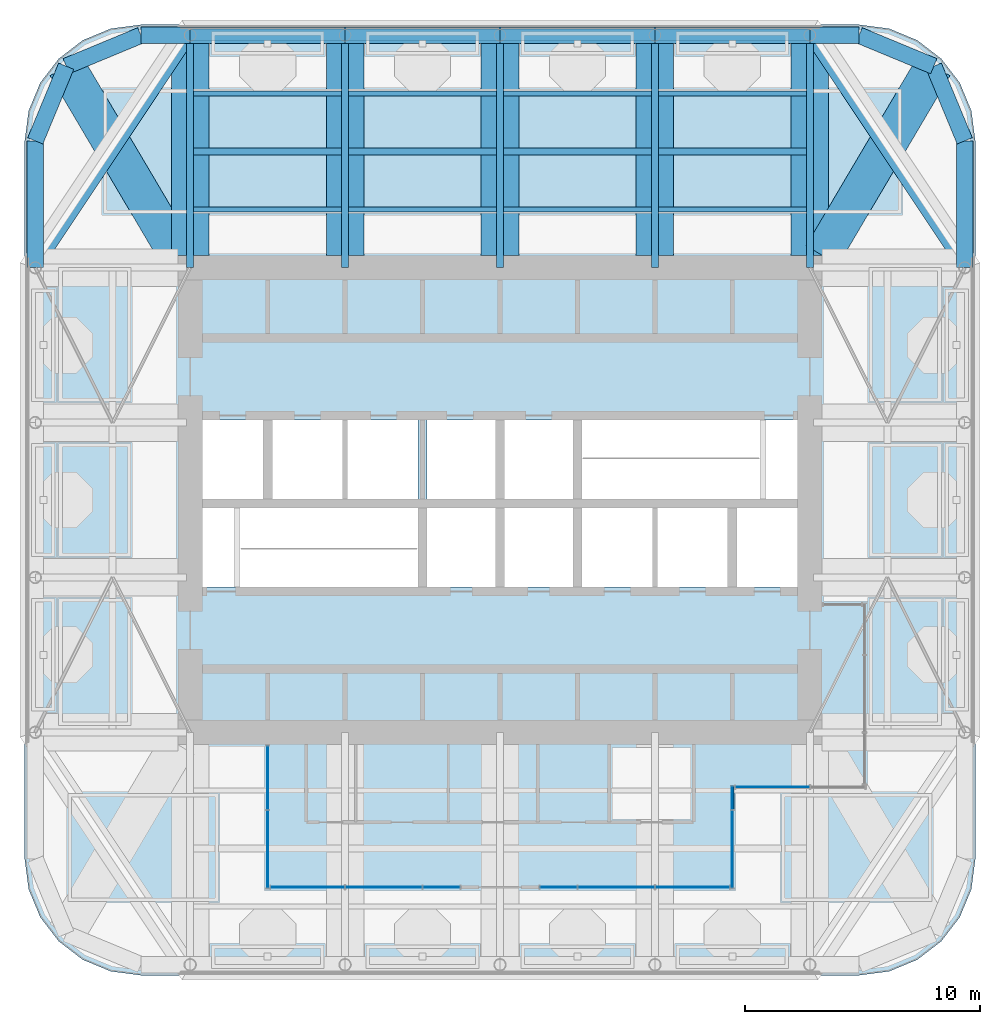
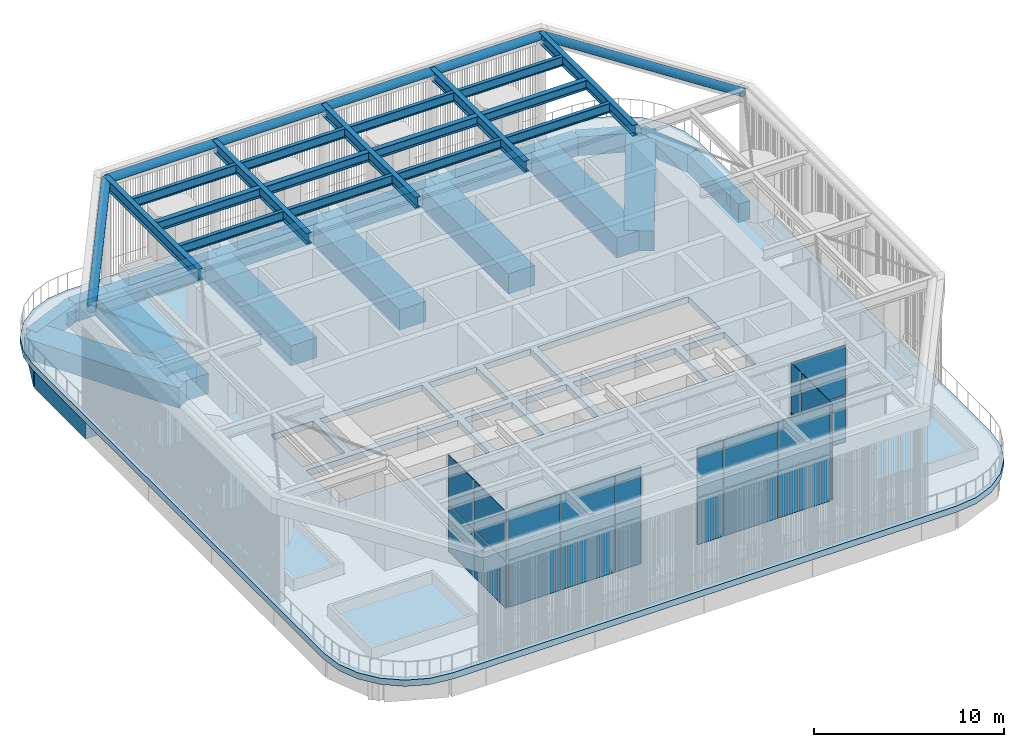
# One storey, part 5 of 22: 34 beams, 22 plates, 9 members, 1 slab, 5 elements without a shape of their own.
"""IFC4 building model written with IfcOpenShell, lengths in metres."""

from ifc_helpers import new_model, si_unit, direction, frame, origin, origin_2d, place, context, subcontext, project, spatial, polyline, rectangle, hollow_circle, i_section, outline, extrude, material, layer, layer_set, material_profile, profile_set, type_object, element, aggregate, save


model = new_model("IFC4")

# Units and contexts
model_context = context("Model", 3, precision=1e-05, world=origin(), true_north=direction((0.0, 1.0)))
body_context = subcontext(model_context, "Body", "Model", "MODEL_VIEW")
ifc_project = project(units=[si_unit("LENGTHUNIT", "METRE"), si_unit("AREAUNIT", "SQUARE_METRE"), si_unit("VOLUMEUNIT", "CUBIC_METRE"), si_unit("PLANEANGLEUNIT", "RADIAN"), si_unit("MASSUNIT", "GRAM", prefix="KILO")], contexts=[model_context])

# Site, building, storey
site_placement = place(None, origin())
site = spatial("IfcSite", under=ifc_project, at=site_placement, CompositionType="ELEMENT")
building_placement = place(site_placement, origin())
building = spatial("IfcBuilding", under=site, at=building_placement, Name="Cobogo Forest Laboratory Tower", CompositionType="ELEMENT")
storey_placement = place(building_placement, frame((0.0, 0.0, 292.800048828125)))
storey = spatial("IfcBuildingStorey", under=building, at=storey_placement, Name="RF", CompositionType="ELEMENT", Elevation=292.800048828125)

# Beams
ifc_material_1 = material(Name="Steel S355", Category="steel")
ifc_material_profile_1 = material_profile(ifc_material_1, i_section(OverallWidth=0.300048828125, OverallDepth=0.699951171875, WebThickness=0.01708984375, FlangeThickness=0.031982421875, FilletRadius=0.027099609375, at=origin_2d()), Name="HEB 700")
ifc_profile_set_1 = profile_set([ifc_material_profile_1], Name="Steel S355")
beam_type_1 = type_object("IfcBeamType", Name="Crown frame girder HEB 700", PredefinedType="BEAM", material=ifc_profile_set_1)
for number, where, z_axis, x_axis, name in (
    (1, (13.199951171875, 33.0, 6.550048828125), (0.0, 1.0, 0.0), (-1.0, 0.0, 0.0), "SG1 3-3"),
    (2, (19.800048828125, 33.0, 6.550048828125), (0.0, 1.0, 0.0), (-1.0, 0.0, 0.0), "SG1 4-3"),
    (3, (26.39990234375, 33.0, 6.550048828125), (0.0, 1.0, 0.0), (-1.0, 0.0, 0.0), "SG1 5-3"),
    (4, (33.0, 33.0, 6.550048828125), (0.0, 1.0, 0.0), (-1.0, 0.0, 0.0), "SG1 6-3"),
    (5, (39.60009765625, 33.0, 6.550048828125), (0.0, 1.0, 0.0), (-1.0, 0.0, 0.0), "SG1 7-3"),
):
    element("IfcBeam", number, at=place(storey_placement, frame(where, z_axis=z_axis, x_axis=x_axis)), inside=storey, type_object=beam_type_1, Name=name, PredefinedType="BEAM", context=body_context, shape_type="SweptSolid", body=[
        extrude(i_section(OverallWidth=0.300048828125, OverallDepth=0.699951171875, WebThickness=0.01708984375, FlangeThickness=0.031982421875, FilletRadius=0.027099609375, at=origin_2d()), origin(), (0.0, 0.0, 1.0), 9.89990234375),
    ])

# Members
ifc_material_profile_2 = material_profile(ifc_material_1, i_section(OverallWidth=0.219970703125, OverallDepth=0.60009765625, WebThickness=0.011962890625, FlangeThickness=0.01904296875, FilletRadius=0.02392578125, at=origin_2d()), Name="IPE 600")
ifc_profile_set_2 = profile_set([ifc_material_profile_2], Name="Steel S355")
member_type_1 = type_object("IfcMemberType", Name="Crown frame intermediate purlin IPE 600", PredefinedType="PURLIN", material=ifc_profile_set_2)
member_1_placement = place(storey_placement, frame((13.35009765625, 35.47509765625, 6.599853515625), z_axis=(1.0, 0.0, 0.0), x_axis=(0.0, 1.0, 0.0)))
element("IfcMember", 6, at=member_1_placement, inside=storey, type_object=member_type_1, Name="SP2 canopy purlin N1-1", PredefinedType="PURLIN", context=body_context, shape_type="SweptSolid", body=[
    extrude(i_section(OverallWidth=0.219970703125, OverallDepth=0.60009765625, WebThickness=0.011962890625, FlangeThickness=0.01904296875, FilletRadius=0.02392578125, at=origin_2d()), origin(), (0.0, 0.0, 1.0), 6.2998046875),
])
for number, where, z_axis, x_axis, name in (
    (7, (19.949951171875, 35.47509765625, 6.599853515625), (1.0, 0.0, 0.0), (0.0, 1.0, 0.0), "SP2 canopy purlin N1-2"),
    (8, (26.550048828125, 35.47509765625, 6.599853515625), (1.0, 0.0, 0.0), (0.0, 1.0, 0.0), "SP2 canopy purlin N1-3"),
    (9, (33.14990234375, 35.47509765625, 6.599853515625), (1.0, 0.0, 0.0), (0.0, 1.0, 0.0), "SP2 canopy purlin N1-4"),
):
    element("IfcMember", number, at=place(storey_placement, frame(where, z_axis=z_axis, x_axis=x_axis)), inside=storey, type_object=member_type_1, Name=name, PredefinedType="PURLIN", context=body_context, shape_type="SweptSolid", body=[
        extrude(i_section(OverallWidth=0.219970703125, OverallDepth=0.60009765625, WebThickness=0.011962890625, FlangeThickness=0.01904296875, FilletRadius=0.02392578125, at=origin_2d()), origin(), (0.0, 0.0, 1.0), 6.300048828125),
    ])
member_2_placement = place(storey_placement, frame((13.35009765625, 40.425048828125, 6.599853515625), z_axis=(1.0, 0.0, 0.0), x_axis=(0.0, 1.0, 0.0)))
element("IfcMember", 10, at=member_2_placement, inside=storey, type_object=member_type_1, Name="SP2 canopy purlin N3-1", PredefinedType="PURLIN", context=body_context, shape_type="SweptSolid", body=[
    extrude(i_section(OverallWidth=0.219970703125, OverallDepth=0.60009765625, WebThickness=0.011962890625, FlangeThickness=0.01904296875, FilletRadius=0.02392578125, at=origin_2d()), origin(), (0.0, 0.0, 1.0), 6.2998046875),
])
for number, where, z_axis, x_axis, name in (
    (11, (19.949951171875, 40.425048828125, 6.599853515625), (1.0, 0.0, 0.0), (0.0, 1.0, 0.0), "SP2 canopy purlin N3-2"),
    (12, (26.550048828125, 40.425048828125, 6.599853515625), (1.0, 0.0, 0.0), (0.0, 1.0, 0.0), "SP2 canopy purlin N3-3"),
    (13, (33.14990234375, 40.425048828125, 6.599853515625), (1.0, 0.0, 0.0), (0.0, 1.0, 0.0), "SP2 canopy purlin N3-4"),
):
    element("IfcMember", number, at=place(storey_placement, frame(where, z_axis=z_axis, x_axis=x_axis)), inside=storey, type_object=member_type_1, Name=name, PredefinedType="PURLIN", context=body_context, shape_type="SweptSolid", body=[
        extrude(i_section(OverallWidth=0.219970703125, OverallDepth=0.60009765625, WebThickness=0.011962890625, FlangeThickness=0.01904296875, FilletRadius=0.02392578125, at=origin_2d()), origin(), (0.0, 0.0, 1.0), 6.300048828125),
    ])

# Beams
ifc_material_profile_3 = material_profile(ifc_material_1, i_section(OverallWidth=0.300048828125, OverallDepth=0.60009765625, WebThickness=0.015380859375, FlangeThickness=0.030029296875, FilletRadius=0.027099609375, at=origin_2d()), Name="HEB 600")
ifc_profile_set_3 = profile_set([ifc_material_profile_3], Name="Steel S355")
beam_type_2 = type_object("IfcBeamType", Name="Crown frame purlin HEB 600", PredefinedType="BEAM", material=ifc_profile_set_3)
beam_1_placement = place(storey_placement, frame((13.35009765625, 37.949951171875, 6.599853515625), z_axis=(1.0, 0.0, 0.0), x_axis=(0.0, 1.0, 0.0)))
element("IfcBeam", 14, at=beam_1_placement, inside=storey, type_object=beam_type_2, Name="SP1 N1", PredefinedType="BEAM", context=body_context, shape_type="SweptSolid", body=[
    extrude(i_section(OverallWidth=0.300048828125, OverallDepth=0.60009765625, WebThickness=0.015380859375, FlangeThickness=0.030029296875, FilletRadius=0.027099609375, at=origin_2d()), origin(), (0.0, 0.0, 1.0), 6.2998046875),
])
for number, where, z_axis, x_axis, name in (
    (15, (19.949951171875, 37.949951171875, 6.599853515625), (1.0, 0.0, 0.0), (0.0, 1.0, 0.0), "SP1 N2"),
    (16, (26.550048828125, 37.949951171875, 6.599853515625), (1.0, 0.0, 0.0), (0.0, 1.0, 0.0), "SP1 N3"),
    (17, (33.14990234375, 37.949951171875, 6.599853515625), (1.0, 0.0, 0.0), (0.0, 1.0, 0.0), "SP1 N4"),
):
    element("IfcBeam", number, at=place(storey_placement, frame(where, z_axis=z_axis, x_axis=x_axis)), inside=storey, type_object=beam_type_2, Name=name, PredefinedType="BEAM", context=body_context, shape_type="SweptSolid", body=[
        extrude(i_section(OverallWidth=0.300048828125, OverallDepth=0.60009765625, WebThickness=0.015380859375, FlangeThickness=0.030029296875, FilletRadius=0.027099609375, at=origin_2d()), origin(), (0.0, 0.0, 1.0), 6.300048828125),
    ])
ifc_material_profile_4 = material_profile(ifc_material_1, hollow_circle(Radius=0.25390625, WallThickness=0.01611328125, at=origin_2d()), Name="CHS 508x16")
ifc_profile_set_4 = profile_set([ifc_material_profile_4], Name="Steel S355")
beam_type_3 = type_object("IfcBeamType", Name="Crown frame ring CHS 508x16", PredefinedType="BEAM", material=ifc_profile_set_4)
beam_2_placement = place(storey_placement, frame((13.199951171875, 42.89990234375, 6.64599609375), z_axis=(1.0, 0.0, 0.0), x_axis=(0.0, 1.0, 0.0)))
element("IfcBeam", 18, at=beam_2_placement, inside=storey, type_object=beam_type_3, Name="SE1 N1", PredefinedType="BEAM", context=body_context, shape_type="SweptSolid", body=[
    extrude(hollow_circle(Radius=0.25390625, WallThickness=0.01611328125, at=origin_2d()), origin(), (0.0, 0.0, 1.0), 6.60009765625),
])
beam_3_placement = place(storey_placement, frame((19.800048828125, 42.89990234375, 6.64599609375), z_axis=(1.0, 0.0, 0.0), x_axis=(0.0, 1.0, 0.0)))
element("IfcBeam", 19, at=beam_3_placement, inside=storey, type_object=beam_type_3, Name="SE1 N2", PredefinedType="BEAM", context=body_context, shape_type="SweptSolid", body=[
    extrude(hollow_circle(Radius=0.25390625, WallThickness=0.01611328125, at=origin_2d()), origin(), (0.0, 0.0, 1.0), 6.599853515625),
])
for number, where, z_axis, x_axis, name in (
    (20, (26.39990234375, 42.89990234375, 6.64599609375), (1.0, 0.0, 0.0), (0.0, 1.0, 0.0), "SE1 N3"),
    (21, (33.0, 42.89990234375, 6.64599609375), (1.0, 0.0, 0.0), (0.0, 1.0, 0.0), "SE1 N4"),
):
    element("IfcBeam", number, at=place(storey_placement, frame(where, z_axis=z_axis, x_axis=x_axis)), inside=storey, type_object=beam_type_3, Name=name, PredefinedType="BEAM", context=body_context, shape_type="SweptSolid", body=[
        extrude(hollow_circle(Radius=0.25390625, WallThickness=0.01611328125, at=origin_2d()), origin(), (0.0, 0.0, 1.0), 6.60009765625),
    ])
for number, where, z_axis, x_axis, name in (
    (22, (39.60009765625, 42.89990234375, 6.64599609375), (0.554695461017, -0.832053451124, 0.0), (0.832053451124, 0.554695461017, 0.0), "SE1 NE"),
    (23, (13.199951171875, 42.89990234375, 6.64599609375), (-0.554695461017, -0.832053451124, 0.0), (0.832053451124, -0.554695461017, 0.0), "SE1 NW"),
):
    element("IfcBeam", number, at=place(storey_placement, frame(where, z_axis=z_axis, x_axis=x_axis)), inside=storey, type_object=beam_type_3, Name=name, PredefinedType="BEAM", context=body_context, shape_type="SweptSolid", body=[
        extrude(hollow_circle(Radius=0.25390625, WallThickness=0.01611328125, at=origin_2d()), origin(), (0.0, 0.0, 1.0), 11.898193359375),
    ])
ifc_material_2 = material(Name="Concrete HA-40 (C40/50)", Category="concrete")
ifc_material_profile_5 = material_profile(ifc_material_2, rectangle(XDim=0.699951171875, YDim=1.199951171875, at=origin_2d()), Name="RC 700x1200")
ifc_profile_set_5 = profile_set([ifc_material_profile_5], Name="Concrete HA-40 (C40/50)")
beam_type_4 = type_object("IfcBeamType", Name="Perimeter edge beam 700x1200", PredefinedType="BEAM", material=ifc_profile_set_5)
beam_4_placement = place(storey_placement, frame((13.199951171875, 42.89990234375, -1.0), z_axis=(1.0, 0.0, 0.0), x_axis=(0.0, 1.0, 0.0)))
element("IfcBeam", 24, at=beam_4_placement, inside=storey, type_object=beam_type_4, Name="EB1 E-N1 RF", PredefinedType="BEAM", context=body_context, shape_type="SweptSolid", body=[
    extrude(rectangle(XDim=0.699951171875, YDim=1.199951171875, at=origin_2d()), origin(), (0.0, 0.0, 1.0), 6.60009765625),
])
beam_5_placement = place(storey_placement, frame((19.800048828125, 42.89990234375, -1.0), z_axis=(1.0, 0.0, 0.0), x_axis=(0.0, 1.0, 0.0)))
element("IfcBeam", 25, at=beam_5_placement, inside=storey, type_object=beam_type_4, Name="EB1 E-N2 RF", PredefinedType="BEAM", context=body_context, shape_type="SweptSolid", body=[
    extrude(rectangle(XDim=0.699951171875, YDim=1.199951171875, at=origin_2d()), origin(), (0.0, 0.0, 1.0), 6.599853515625),
])
for number, where, z_axis, x_axis, name in (
    (26, (26.39990234375, 42.89990234375, -1.0), (1.0, 0.0, 0.0), (0.0, 1.0, 0.0), "EB1 E-N3 RF"),
    (27, (33.0, 42.89990234375, -1.0), (1.0, 0.0, 0.0), (0.0, 1.0, 0.0), "EB1 E-N4 RF"),
):
    element("IfcBeam", number, at=place(storey_placement, frame(where, z_axis=z_axis, x_axis=x_axis)), inside=storey, type_object=beam_type_4, Name=name, PredefinedType="BEAM", context=body_context, shape_type="SweptSolid", body=[
        extrude(rectangle(XDim=0.699951171875, YDim=1.199951171875, at=origin_2d()), origin(), (0.0, 0.0, 1.0), 6.60009765625),
    ])
beam_6_placement = place(storey_placement, frame((46.199951171875, 33.0, -1.0), z_axis=(0.0, 1.0, 0.0), x_axis=(-1.0, 0.0, 0.0)))
element("IfcBeam", 28, at=beam_6_placement, inside=storey, type_object=beam_type_4, Name="EB1 E-NEE1 RF", PredefinedType="BEAM", context=body_context, shape_type="SweptSolid", body=[
    extrude(rectangle(XDim=0.699951171875, YDim=1.199951171875, at=origin_2d()), origin(), (0.0, 0.0, 1.0), 5.39990234375),
])
beam_7_placement = place(storey_placement, frame((46.199951171875, 38.39990234375, -1.0), z_axis=(-0.382631424892, 0.923901072997, 0.0), x_axis=(-0.923901072997, -0.382631424892, 0.0)))
element("IfcBeam", 29, at=beam_7_placement, inside=storey, type_object=beam_type_4, Name="EB1 E-NEE2 RF", PredefinedType="BEAM", context=body_context, shape_type="SweptSolid", body=[
    extrude(rectangle(XDim=0.699951171875, YDim=1.199951171875, at=origin_2d()), origin(), (0.0, 0.0, 1.0), 3.4443359375),
])
beam_8_placement = place(storey_placement, frame((39.60009765625, 42.89990234375, -1.0), z_axis=(1.0, 0.0, 0.0), x_axis=(0.0, 1.0, 0.0)))
element("IfcBeam", 30, at=beam_8_placement, inside=storey, type_object=beam_type_4, Name="EB1 E-NEN1 RF", PredefinedType="BEAM", context=body_context, shape_type="SweptSolid", body=[
    extrude(rectangle(XDim=0.699951171875, YDim=1.199951171875, at=origin_2d()), origin(), (0.0, 0.0, 1.0), 2.099853515625),
])
beam_9_placement = place(storey_placement, frame((41.699951171875, 42.89990234375, -1.0), z_axis=(0.923901072997, -0.382631424892, 0.0), x_axis=(0.382631424892, 0.923901072997, 0.0)))
element("IfcBeam", 31, at=beam_9_placement, inside=storey, type_object=beam_type_4, Name="EB1 E-NEN2 RF", PredefinedType="BEAM", context=body_context, shape_type="SweptSolid", body=[
    extrude(rectangle(XDim=0.699951171875, YDim=1.199951171875, at=origin_2d()), origin(), (0.0, 0.0, 1.0), 3.4443359375),
])
beam_10_placement = place(storey_placement, frame((13.199951171875, 42.89990234375, -1.0), z_axis=(-1.0, 0.0, 0.0), x_axis=(0.0, -1.0, 0.0)))
element("IfcBeam", 32, at=beam_10_placement, inside=storey, type_object=beam_type_4, Name="EB1 E-NWN1 RF", PredefinedType="BEAM", context=body_context, shape_type="SweptSolid", body=[
    extrude(rectangle(XDim=0.699951171875, YDim=1.199951171875, at=origin_2d()), origin(), (0.0, 0.0, 1.0), 2.099853515625),
])
beam_11_placement = place(storey_placement, frame((11.10009765625, 42.89990234375, -1.0), z_axis=(-0.923901072997, -0.382631424892, 0.0), x_axis=(0.382631424892, -0.923901072997, 0.0)))
element("IfcBeam", 33, at=beam_11_placement, inside=storey, type_object=beam_type_4, Name="EB1 E-NWN2 RF", PredefinedType="BEAM", context=body_context, shape_type="SweptSolid", body=[
    extrude(rectangle(XDim=0.699951171875, YDim=1.199951171875, at=origin_2d()), origin(), (0.0, 0.0, 1.0), 3.4443359375),
])
beam_12_placement = place(storey_placement, frame((6.60009765625, 33.0, -1.0), z_axis=(0.0, 1.0, 0.0), x_axis=(-1.0, 0.0, 0.0)))
element("IfcBeam", 34, at=beam_12_placement, inside=storey, type_object=beam_type_4, Name="EB1 E-NWW1 RF", PredefinedType="BEAM", context=body_context, shape_type="SweptSolid", body=[
    extrude(rectangle(XDim=0.699951171875, YDim=1.199951171875, at=origin_2d()), origin(), (0.0, 0.0, 1.0), 5.39990234375),
])
beam_13_placement = place(storey_placement, frame((6.60009765625, 38.39990234375, -1.0), z_axis=(0.382631424892, 0.923901072997, 0.0), x_axis=(-0.923901072997, 0.382631424892, 0.0)))
element("IfcBeam", 35, at=beam_13_placement, inside=storey, type_object=beam_type_4, Name="EB1 E-NWW2 RF", PredefinedType="BEAM", context=body_context, shape_type="SweptSolid", body=[
    extrude(rectangle(XDim=0.699951171875, YDim=1.199951171875, at=origin_2d()), origin(), (0.0, 0.0, 1.0), 3.4443359375),
])
ifc_material_profile_6 = material_profile(ifc_material_2, rectangle(XDim=1.60009765625, YDim=1.300048828125, at=origin_2d()), Name="RC 1600x1300")
ifc_profile_set_6 = profile_set([ifc_material_profile_6], Name="Concrete HA-40 (C40/50)")
beam_type_5 = type_object("IfcBeamType", Name="Plant and roof garden wide beam 1600x1300", PredefinedType="BEAM", material=ifc_profile_set_6)
for number, where, z_axis, x_axis, name in (
    (36, (13.199951171875, 33.52490234375, -1.050048828125), (0.0, 1.0, 0.0), (-1.0, 0.0, 0.0), "RB4 R-3-N RF"),
    (37, (19.800048828125, 33.52490234375, -1.050048828125), (0.0, 1.0, 0.0), (-1.0, 0.0, 0.0), "RB4 R-4-N RF"),
    (38, (26.39990234375, 33.52490234375, -1.050048828125), (0.0, 1.0, 0.0), (-1.0, 0.0, 0.0), "RB4 R-5-N RF"),
    (39, (33.0, 33.52490234375, -1.050048828125), (0.0, 1.0, 0.0), (-1.0, 0.0, 0.0), "RB4 R-6-N RF"),
    (40, (39.60009765625, 33.52490234375, -1.050048828125), (0.0, 1.0, 0.0), (-1.0, 0.0, 0.0), "RB4 R-7-N RF"),
):
    element("IfcBeam", number, at=place(storey_placement, frame(where, z_axis=z_axis, x_axis=x_axis)), inside=storey, type_object=beam_type_5, Name=name, PredefinedType="BEAM", context=body_context, shape_type="SweptSolid", body=[
        extrude(rectangle(XDim=1.60009765625, YDim=1.300048828125, at=origin_2d()), origin(), (0.0, 0.0, 1.0), 9.375),
    ])
for number, where, z_axis, x_axis, name in (
    (41, (44.882080078125, 41.58203125, -1.050048828125), (-0.508416325908, -0.861111397875, 0.0), (0.861111397875, -0.508416325908, 0.0), "RB4 G-NE-D1 RF"),
    (42, (7.91796875, 41.58203125, -1.050048828125), (0.508416325908, -0.861111397875, 0.0), (0.861111397875, 0.508416325908, 0.0), "RB4 G-NW-D1 RF"),
):
    element("IfcBeam", number, at=place(storey_placement, frame(where, z_axis=z_axis, x_axis=x_axis)), inside=storey, type_object=beam_type_5, Name=name, PredefinedType="BEAM", context=body_context, shape_type="SweptSolid", body=[
        extrude(rectangle(XDim=1.60009765625, YDim=1.300048828125, at=origin_2d()), origin(), (0.0, 0.0, 1.0), 9.356689453125),
    ])

# Curtain wall, member
ifc_material_3 = material(Name="Aluminium curtain wall", Category="aluminium")
curtain_wall_type = type_object("IfcCurtainWallType", Name="CW-C stick curtain wall, crown glazing, conference floor and roof pavilion", PredefinedType="USERDEFINED", material=ifc_material_3)
curtain_wall_1_placement = place(storey_placement, origin())
curtain_wall_1 = element("IfcCurtainWall", 43, at=curtain_wall_1_placement, inside=storey, type_object=curtain_wall_type, Name="Curtain wall 04 RF", ObjectType="STICK CURTAIN WALL", PredefinedType="USERDEFINED")
ifc_material_4 = material(Name="Aluminium transom", Category="aluminium")
ifc_material_profile_7 = material_profile(ifc_material_4, rectangle(XDim=0.1201171875, YDim=0.06005859375, at=origin_2d()), Name="AL 60x120")
ifc_profile_set_7 = profile_set([ifc_material_profile_7], Name="Aluminium transom")
member_type_2 = type_object("IfcMemberType", Name="TR-1 aluminium transom 60x120", PredefinedType="USERDEFINED", material=ifc_profile_set_7)
member_3_placement = place(storey_placement, frame((36.300048828125, 9.929931640625, 3.0), z_axis=(0.0, 1.0, 0.0), x_axis=(-1.0, 0.0, 0.0)))
member_3 = element("IfcMember", 44, at=member_3_placement, type_object=member_type_2, Name="CW-C transom 2.1", ObjectType="TRANSOM", PredefinedType="USERDEFINED", context=body_context, shape_type="SweptSolid", body=[
    extrude(rectangle(XDim=0.1201171875, YDim=0.06005859375, at=origin_2d()), origin(), (0.0, 0.0, 1.0), 0.965087890625),
])

# Curtain wall, plates
curtain_wall_2_placement = place(storey_placement, origin())
curtain_wall_2 = element("IfcCurtainWall", 45, at=curtain_wall_2_placement, inside=storey, type_object=curtain_wall_type, Name="Curtain wall 01 RF", ObjectType="STICK CURTAIN WALL", PredefinedType="USERDEFINED")
ifc_material_5 = material(Name="Solar control insulated glass", Category="glass")
ifc_layer_1 = layer(ifc_material_5, 0.031982421875)
ifc_layer_set_1 = layer_set([ifc_layer_1], Name="GP-2 solar control glass unit 32")
plate_type = type_object("IfcPlateType", Name="GP-2 solar control glass unit 32", PredefinedType="CURTAIN_PANEL", material=ifc_layer_set_1)
plate_1_placement = place(storey_placement, frame((16.5, 11.2724609375, 0.0), z_axis=(0.0, 0.0, 1.0), x_axis=(0.0, -1.0, 0.0)))
plate_1 = element("IfcPlate", 46, at=plate_1_placement, type_object=plate_type, Name="CW-C panel 1.1", PredefinedType="CURTAIN_PANEL", context=body_context, shape_type="SweptSolid", body=[
    extrude(rectangle(XDim=2.68505859375, YDim=0.031982421875, at=origin_2d()), origin(), (0.0, 0.0, 1.0), 2.969970703125),
])
plate_2_placement = place(storey_placement, frame((16.5, 11.2724609375, 3.030029296875), z_axis=(0.0, 0.0, 1.0), x_axis=(0.0, -1.0, 0.0)))
plate_2 = element("IfcPlate", 47, at=plate_2_placement, type_object=plate_type, Name="CW-C panel 1.2", PredefinedType="CURTAIN_PANEL", context=body_context, shape_type="SweptSolid", body=[
    extrude(rectangle(XDim=2.68505859375, YDim=0.031982421875, at=origin_2d()), origin(), (0.0, 0.0, 1.0), 3.169921875),
])
plate_3_placement = place(storey_placement, frame((16.5, 8.22509765625, 0.0), z_axis=(0.0, 0.0, 1.0), x_axis=(0.0, -1.0, 0.0)))
plate_3 = element("IfcPlate", 48, at=plate_3_placement, type_object=plate_type, Name="CW-C panel 2.1", PredefinedType="CURTAIN_PANEL", context=body_context, shape_type="SweptSolid", body=[
    extrude(rectangle(XDim=3.2900390625, YDim=0.031982421875, at=origin_2d()), origin(), (0.0, 0.0, 1.0), 2.969970703125),
])
plate_4_placement = place(storey_placement, frame((16.5, 8.22509765625, 3.030029296875), z_axis=(0.0, 0.0, 1.0), x_axis=(0.0, -1.0, 0.0)))
plate_4 = element("IfcPlate", 49, at=plate_4_placement, type_object=plate_type, Name="CW-C panel 2.2", PredefinedType="CURTAIN_PANEL", context=body_context, shape_type="SweptSolid", body=[
    extrude(rectangle(XDim=3.2900390625, YDim=0.031982421875, at=origin_2d()), origin(), (0.0, 0.0, 1.0), 3.169921875),
])
aggregate(curtain_wall_2, [plate_1, plate_2, plate_3, plate_4])

curtain_wall_3_placement = place(storey_placement, origin())
curtain_wall_3 = element("IfcCurtainWall", 50, at=curtain_wall_3_placement, inside=storey, type_object=curtain_wall_type, Name="Curtain wall 02 RF", ObjectType="STICK CURTAIN WALL", PredefinedType="USERDEFINED")
plate_5_placement = place(storey_placement, frame((18.205078125, 6.60009765625, 0.0), z_axis=(0.0, 0.0, 1.0), x_axis=(1.0, 0.0, 0.0)))
plate_5 = element("IfcPlate", 51, at=plate_5_placement, type_object=plate_type, Name="CW-C panel 1.1", PredefinedType="CURTAIN_PANEL", context=body_context, shape_type="SweptSolid", body=[
    extrude(rectangle(XDim=3.1298828125, YDim=0.031982421875, at=origin_2d()), origin(), (0.0, 0.0, 1.0), 2.969970703125),
])
plate_6_placement = place(storey_placement, frame((18.205078125, 6.60009765625, 3.030029296875), z_axis=(0.0, 0.0, 1.0), x_axis=(1.0, 0.0, 0.0)))
plate_6 = element("IfcPlate", 52, at=plate_6_placement, type_object=plate_type, Name="CW-C panel 1.2", PredefinedType="CURTAIN_PANEL", context=body_context, shape_type="SweptSolid", body=[
    extrude(rectangle(XDim=3.1298828125, YDim=0.031982421875, at=origin_2d()), origin(), (0.0, 0.0, 1.0), 3.169921875),
])
plate_7_placement = place(storey_placement, frame((21.449951171875, 6.60009765625, 0.0), z_axis=(0.0, 0.0, 1.0), x_axis=(1.0, 0.0, 0.0)))
plate_7 = element("IfcPlate", 53, at=plate_7_placement, type_object=plate_type, Name="CW-C panel 2.1", PredefinedType="CURTAIN_PANEL", context=body_context, shape_type="SweptSolid", body=[
    extrude(rectangle(XDim=3.239990234375, YDim=0.031982421875, at=origin_2d()), origin(), (0.0, 0.0, 1.0), 2.969970703125),
])
plate_8_placement = place(storey_placement, frame((21.449951171875, 6.60009765625, 3.030029296875), z_axis=(0.0, 0.0, 1.0), x_axis=(1.0, 0.0, 0.0)))
plate_8 = element("IfcPlate", 54, at=plate_8_placement, type_object=plate_type, Name="CW-C panel 2.2", PredefinedType="CURTAIN_PANEL", context=body_context, shape_type="SweptSolid", body=[
    extrude(rectangle(XDim=3.239990234375, YDim=0.031982421875, at=origin_2d()), origin(), (0.0, 0.0, 1.0), 3.169921875),
])
plate_9_placement = place(storey_placement, frame((23.909912109375, 6.60009765625, 0.0), z_axis=(0.0, 0.0, 1.0), x_axis=(1.0, 0.0, 0.0)))
plate_9 = element("IfcPlate", 55, at=plate_9_placement, type_object=plate_type, Name="CW-C panel 3.1", PredefinedType="CURTAIN_PANEL", context=body_context, shape_type="SweptSolid", body=[
    extrude(rectangle(XDim=1.56005859375, YDim=0.031982421875, at=origin_2d()), origin(), (0.0, 0.0, 1.0), 2.969970703125),
])
plate_10_placement = place(storey_placement, frame((23.909912109375, 6.60009765625, 3.030029296875), z_axis=(0.0, 0.0, 1.0), x_axis=(1.0, 0.0, 0.0)))
plate_10 = element("IfcPlate", 56, at=plate_10_placement, type_object=plate_type, Name="CW-C panel 3.2", PredefinedType="CURTAIN_PANEL", context=body_context, shape_type="SweptSolid", body=[
    extrude(rectangle(XDim=1.56005859375, YDim=0.031982421875, at=origin_2d()), origin(), (0.0, 0.0, 1.0), 3.169921875),
])
aggregate(curtain_wall_3, [plate_5, plate_6, plate_7, plate_8, plate_9, plate_10])

curtain_wall_4_placement = place(storey_placement, origin())
curtain_wall_4 = element("IfcCurtainWall", 57, at=curtain_wall_4_placement, inside=storey, type_object=curtain_wall_type, Name="Curtain wall 03 RF", ObjectType="STICK CURTAIN WALL", PredefinedType="USERDEFINED")
plate_11_placement = place(storey_placement, frame((28.889892578125, 6.60009765625, 0.0), z_axis=(0.0, 0.0, 1.0), x_axis=(1.0, 0.0, 0.0)))
plate_11 = element("IfcPlate", 58, at=plate_11_placement, type_object=plate_type, Name="CW-C panel 1.1", PredefinedType="CURTAIN_PANEL", context=body_context, shape_type="SweptSolid", body=[
    extrude(rectangle(XDim=1.56005859375, YDim=0.031982421875, at=origin_2d()), origin(), (0.0, 0.0, 1.0), 2.969970703125),
])
plate_12_placement = place(storey_placement, frame((28.889892578125, 6.60009765625, 3.030029296875), z_axis=(0.0, 0.0, 1.0), x_axis=(1.0, 0.0, 0.0)))
plate_12 = element("IfcPlate", 59, at=plate_12_placement, type_object=plate_type, Name="CW-C panel 1.2", PredefinedType="CURTAIN_PANEL", context=body_context, shape_type="SweptSolid", body=[
    extrude(rectangle(XDim=1.56005859375, YDim=0.031982421875, at=origin_2d()), origin(), (0.0, 0.0, 1.0), 3.169921875),
])
plate_13_placement = place(storey_placement, frame((31.35009765625, 6.60009765625, 0.0), z_axis=(0.0, 0.0, 1.0), x_axis=(1.0, 0.0, 0.0)))
plate_13 = element("IfcPlate", 60, at=plate_13_placement, type_object=plate_type, Name="CW-C panel 2.1", PredefinedType="CURTAIN_PANEL", context=body_context, shape_type="SweptSolid", body=[
    extrude(rectangle(XDim=3.239990234375, YDim=0.031982421875, at=origin_2d()), origin(), (0.0, 0.0, 1.0), 2.969970703125),
])
plate_14_placement = place(storey_placement, frame((31.35009765625, 6.60009765625, 3.030029296875), z_axis=(0.0, 0.0, 1.0), x_axis=(1.0, 0.0, 0.0)))
plate_14 = element("IfcPlate", 61, at=plate_14_placement, type_object=plate_type, Name="CW-C panel 2.2", PredefinedType="CURTAIN_PANEL", context=body_context, shape_type="SweptSolid", body=[
    extrude(rectangle(XDim=3.239990234375, YDim=0.031982421875, at=origin_2d()), origin(), (0.0, 0.0, 1.0), 3.169921875),
])
plate_15_placement = place(storey_placement, frame((34.594970703125, 6.60009765625, 0.0), z_axis=(0.0, 0.0, 1.0), x_axis=(1.0, 0.0, 0.0)))
plate_15 = element("IfcPlate", 62, at=plate_15_placement, type_object=plate_type, Name="CW-C panel 3.1", PredefinedType="CURTAIN_PANEL", context=body_context, shape_type="SweptSolid", body=[
    extrude(rectangle(XDim=3.1298828125, YDim=0.031982421875, at=origin_2d()), origin(), (0.0, 0.0, 1.0), 2.969970703125),
])
plate_16_placement = place(storey_placement, frame((34.594970703125, 6.60009765625, 3.030029296875), z_axis=(0.0, 0.0, 1.0), x_axis=(1.0, 0.0, 0.0)))
plate_16 = element("IfcPlate", 63, at=plate_16_placement, type_object=plate_type, Name="CW-C panel 3.2", PredefinedType="CURTAIN_PANEL", context=body_context, shape_type="SweptSolid", body=[
    extrude(rectangle(XDim=3.1298828125, YDim=0.031982421875, at=origin_2d()), origin(), (0.0, 0.0, 1.0), 3.169921875),
])
aggregate(curtain_wall_4, [plate_11, plate_12, plate_13, plate_14, plate_15, plate_16])

# Plate
plate_17_placement = place(storey_placement, frame((36.300048828125, 8.22509765625, 0.0), z_axis=(0.0, 0.0, 1.0), x_axis=(0.0, 1.0, 0.0)))
plate_17 = element("IfcPlate", 64, at=plate_17_placement, type_object=plate_type, Name="CW-C panel 1.1", PredefinedType="CURTAIN_PANEL", context=body_context, shape_type="SweptSolid", body=[
    extrude(rectangle(XDim=3.2900390625, YDim=0.031982421875, at=origin_2d()), origin(), (0.0, 0.0, 1.0), 2.969970703125),
])

plate_18_placement = place(storey_placement, frame((36.300048828125, 8.22509765625, 3.030029296875), z_axis=(0.0, 0.0, 1.0), x_axis=(0.0, 1.0, 0.0)))
plate_18 = element("IfcPlate", 65, at=plate_18_placement, type_object=plate_type, Name="CW-C panel 1.2", PredefinedType="CURTAIN_PANEL", context=body_context, shape_type="SweptSolid", body=[
    extrude(rectangle(XDim=3.2900390625, YDim=0.031982421875, at=origin_2d()), origin(), (0.0, 0.0, 1.0), 3.169921875),
])

plate_19_placement = place(storey_placement, frame((36.300048828125, 10.41259765625, 0.0), z_axis=(0.0, 0.0, 1.0), x_axis=(0.0, 1.0, 0.0)))
plate_19 = element("IfcPlate", 66, at=plate_19_placement, type_object=plate_type, Name="CW-C panel 2.1", PredefinedType="CURTAIN_PANEL", context=body_context, shape_type="SweptSolid", body=[
    extrude(rectangle(XDim=0.965087890625, YDim=0.031982421875, at=origin_2d()), origin(), (0.0, 0.0, 1.0), 2.969970703125),
])

plate_20_placement = place(storey_placement, frame((36.300048828125, 10.41259765625, 3.030029296875), z_axis=(0.0, 0.0, 1.0), x_axis=(0.0, 1.0, 0.0)))
plate_20 = element("IfcPlate", 67, at=plate_20_placement, type_object=plate_type, Name="CW-C panel 2.2", PredefinedType="CURTAIN_PANEL", context=body_context, shape_type="SweptSolid", body=[
    extrude(rectangle(XDim=0.965087890625, YDim=0.031982421875, at=origin_2d()), origin(), (0.0, 0.0, 1.0), 3.169921875),
])

aggregate(curtain_wall_1, [plate_17, plate_18, member_3, plate_19, plate_20])

# Curtain wall, plates
curtain_wall_5_placement = place(storey_placement, origin())
curtain_wall_5 = element("IfcCurtainWall", 68, at=curtain_wall_5_placement, inside=storey, type_object=curtain_wall_type, Name="Curtain wall 05 RF", ObjectType="STICK CURTAIN WALL", PredefinedType="USERDEFINED")
plate_21_placement = place(storey_placement, frame((38.0048828125, 10.875, 0.0), z_axis=(0.0, 0.0, 1.0), x_axis=(1.0, 0.0, 0.0)))
plate_21 = element("IfcPlate", 69, at=plate_21_placement, type_object=plate_type, Name="CW-C panel 1.1", PredefinedType="CURTAIN_PANEL", context=body_context, shape_type="SweptSolid", body=[
    extrude(rectangle(XDim=3.1298828125, YDim=0.031982421875, at=origin_2d()), origin(), (0.0, 0.0, 1.0), 2.969970703125),
])
plate_22_placement = place(storey_placement, frame((38.0048828125, 10.875, 3.030029296875), z_axis=(0.0, 0.0, 1.0), x_axis=(1.0, 0.0, 0.0)))
plate_22 = element("IfcPlate", 70, at=plate_22_placement, type_object=plate_type, Name="CW-C panel 1.2", PredefinedType="CURTAIN_PANEL", context=body_context, shape_type="SweptSolid", body=[
    extrude(rectangle(XDim=3.1298828125, YDim=0.031982421875, at=origin_2d()), origin(), (0.0, 0.0, 1.0), 3.169921875),
])
aggregate(curtain_wall_5, [plate_21, plate_22])

# Slab
ifc_layer_2 = layer(ifc_material_2, 0.39990234375)
ifc_layer_set_2 = layer_set([ifc_layer_2], Name="Roof garden deck 400")
slab_type = type_object("IfcSlabType", Name="Roof garden deck 400", PredefinedType="ROOF", material=ifc_layer_set_2)
slab_placement = place(storey_placement, frame((0.0, 0.0, -0.400146484375)))
element("IfcSlab", 71, at=slab_placement, inside=storey, type_object=slab_type, Name="RF roof garden deck", PredefinedType="ROOF", context=body_context, shape_type="SweptSolid", body=[
    extrude(outline(polyline([(41.699951171875, 2.85009765625), (42.981201171875, 3.0185546875), (44.175048828125, 3.51318359375), (45.2001953125, 4.2998046875), (45.98681640625, 5.324951171875), (46.4814453125, 6.518798828125), (46.64990234375, 7.800048828125), (46.64990234375, 38.39990234375), (46.4814453125, 39.68115234375), (45.98681640625, 40.875), (45.2001953125, 41.900146484375), (44.175048828125, 42.686767578125), (42.981201171875, 43.181396484375), (41.699951171875, 43.35009765625), (11.10009765625, 43.35009765625), (9.81884765625, 43.181396484375), (8.625, 42.686767578125), (7.599853515625, 41.900146484375), (6.813232421875, 40.875), (6.318603515625, 39.68115234375), (6.14990234375, 38.39990234375), (6.14990234375, 7.800048828125), (6.318603515625, 6.518798828125), (6.813232421875, 5.324951171875), (7.599853515625, 4.2998046875), (8.625, 3.51318359375), (9.81884765625, 3.0185546875), (11.10009765625, 2.85009765625), (41.699951171875, 2.85009765625)]), holes=[polyline([(22.89990234375, 22.75), (22.89990234375, 19.39990234375), (13.72509765625, 19.39990234375), (13.72509765625, 22.75), (22.89990234375, 22.75)]), polyline([(26.199951171875, 19.39990234375), (23.300048828125, 19.39990234375), (23.300048828125, 22.75), (26.199951171875, 22.75), (26.199951171875, 19.39990234375)]), polyline([(29.5, 22.75), (29.5, 19.39990234375), (26.60009765625, 19.39990234375), (26.60009765625, 22.75), (29.5, 22.75)]), polyline([(36.10009765625, 22.75), (36.10009765625, 19.39990234375), (29.89990234375, 19.39990234375), (29.89990234375, 22.75), (36.10009765625, 22.75)]), polyline([(39.074951171875, 22.75), (39.074951171875, 19.39990234375), (36.5, 19.39990234375), (36.5, 22.75), (39.074951171875, 22.75)]), polyline([(16.300048828125, 23.14990234375), (13.72509765625, 23.14990234375), (13.72509765625, 26.5), (16.300048828125, 26.5), (16.300048828125, 23.14990234375)]), polyline([(16.699951171875, 26.5), (22.89990234375, 26.5), (22.89990234375, 23.14990234375), (16.699951171875, 23.14990234375), (16.699951171875, 26.5)]), polyline([(26.199951171875, 23.14990234375), (23.300048828125, 23.14990234375), (23.300048828125, 26.5), (26.199951171875, 26.5), (26.199951171875, 23.14990234375)]), polyline([(29.5, 23.14990234375), (26.60009765625, 23.14990234375), (26.60009765625, 26.5), (29.5, 26.5), (29.5, 23.14990234375)]), polyline([(39.074951171875, 23.14990234375), (29.89990234375, 23.14990234375), (29.89990234375, 26.5), (39.074951171875, 26.5), (39.074951171875, 23.14990234375)])]), origin(), (0.0, 0.0, 1.0), 0.400146484375),
])

save(model, "model.ifc")
